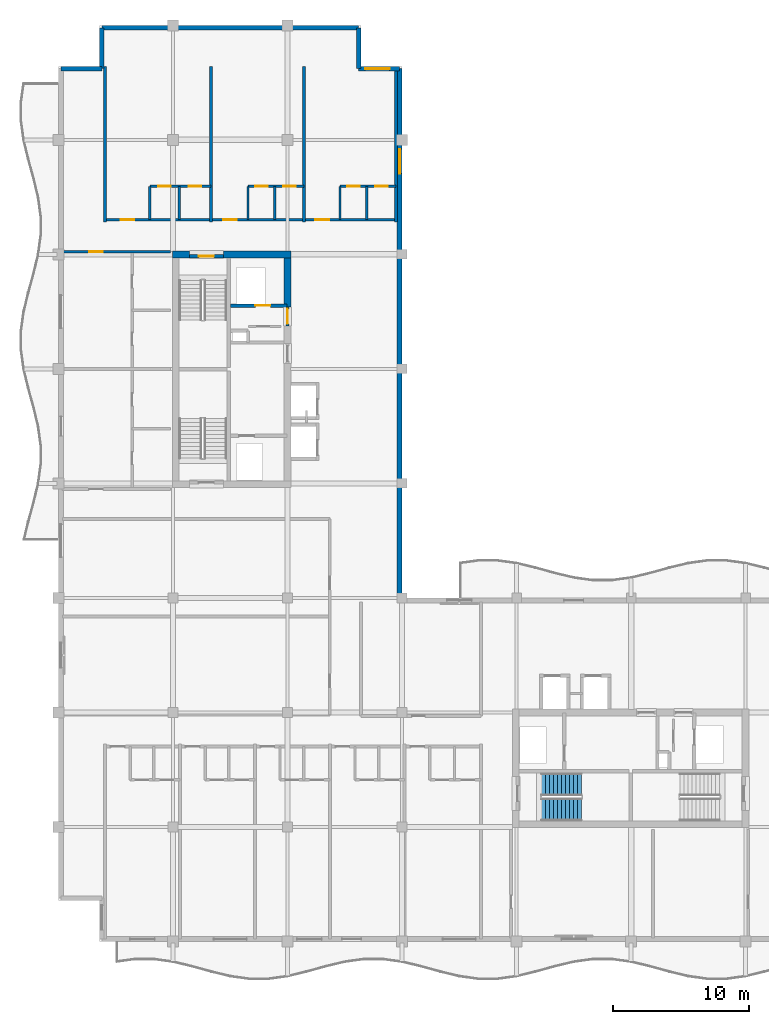
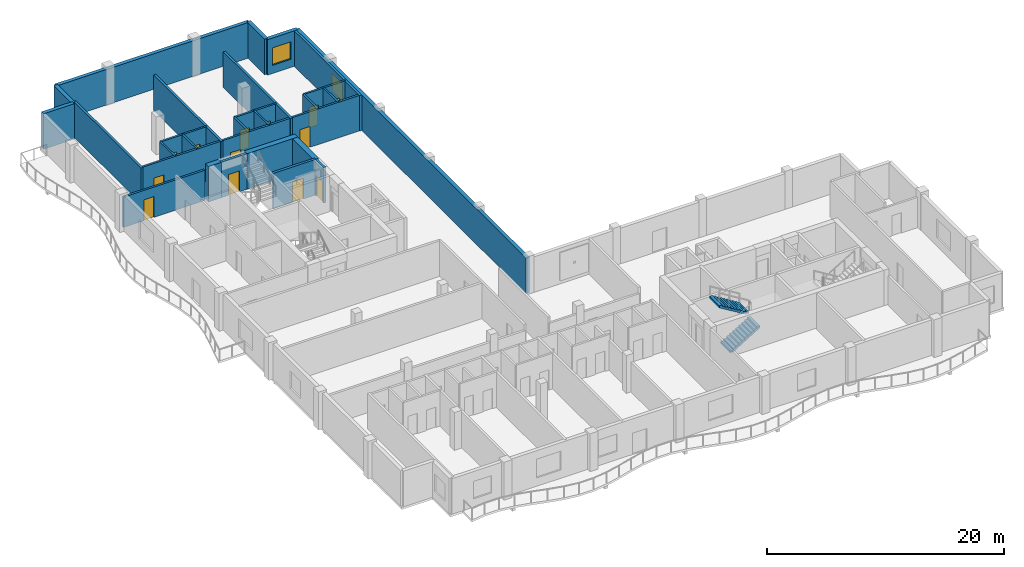
# One storey, part 7 of 12: 27 walls, 13 doors, 2 stair flights, 2 windows, 15 openings, 1 element without a shape of its own.
"""IFC4 building model written with IfcOpenShell, lengths in metres."""

from ifc_helpers import new_model, si_unit, direction, frame, frame_2d, origin, place, context, subcontext, project, spatial, polyline, rectangle, outline, extrude, material, layer, layer_set, type_object, element, fill, aggregate, save


model = new_model("IFC4")

# Units and contexts
model_context = context("Model", 3, precision=1e-05, world=origin(), true_north=direction((0.0, 1.0)))
body_context = subcontext(model_context, "Body", "Model", "MODEL_VIEW")
ifc_project = project(units=[si_unit("LENGTHUNIT", "METRE"), si_unit("AREAUNIT", "SQUARE_METRE"), si_unit("VOLUMEUNIT", "CUBIC_METRE"), si_unit("PLANEANGLEUNIT", "RADIAN"), si_unit("MASSUNIT", "GRAM", prefix="KILO")], contexts=[model_context])

# Site, building, storey
site_placement = place(None, origin())
site = spatial("IfcSite", under=ifc_project, at=site_placement, CompositionType="ELEMENT")
building_placement = place(site_placement, origin())
building = spatial("IfcBuilding", under=site, at=building_placement, Name="Koriwani Terraces Tower", CompositionType="ELEMENT")
storey_placement = place(building_placement, frame((0.0, 0.0, 351.5)))
storey = spatial("IfcBuildingStorey", under=building, at=storey_placement, Name="L87", CompositionType="ELEMENT", Elevation=351.5)

# Walls
ifc_material_1 = material(Name="Concrete C50/60", Category="concrete")
ifc_layer_1 = layer(ifc_material_1, 0.5, Name="Concrete C50/60")
ifc_layer_set_1 = layer_set([ifc_layer_1], Name="Concrete C50/60")
wall_type_1 = type_object("IfcWallType", Name="WALL_CORE_RC_500", PredefinedType="SHEAR", material=ifc_layer_set_1)
wall_1_placement = place(storey_placement, frame((16.75, 58.800048828125, 0.0), z_axis=(0.0, 0.0, 1.0), x_axis=(1.0, 0.0, 0.0)))
element("IfcWall", 1, at=wall_1_placement, inside=storey, type_object=wall_type_1, Name="L87 West Split Core Shear Wall N1", PredefinedType="SHEAR", context=body_context, shape_type="SweptSolid", body=[
    extrude(rectangle(XDim=1.25, YDim=0.5, at=frame_2d((0.625, 0.0))), origin(), (0.0, 0.0, 1.0), 3.669921875),
])
wall_2_placement = place(storey_placement, frame((20.5, 58.800048828125, 0.0), z_axis=(0.0, 0.0, 1.0), x_axis=(1.0, 0.0, 0.0)))
element("IfcWall", 2, at=wall_2_placement, inside=storey, type_object=wall_type_1, Name="L87 West Split Core Shear Wall N2", PredefinedType="SHEAR", context=body_context, shape_type="SweptSolid", body=[
    extrude(rectangle(XDim=4.949951171875, YDim=0.5, at=frame_2d((2.47509765625, 0.0))), origin(), (0.0, 0.0, 1.0), 3.669921875),
])
wall_3_placement = place(storey_placement, frame((25.199951171875, 54.949951171875, 0.0), z_axis=(0.0, 0.0, 1.0), x_axis=(0.0, 1.0, 0.0)))
element("IfcWall", 3, at=wall_3_placement, inside=storey, type_object=wall_type_1, Name="L87 West Split Core Shear Wall E3", PredefinedType="SHEAR", context=body_context, shape_type="SweptSolid", body=[
    extrude(rectangle(XDim=3.60009765625, YDim=0.5, at=frame_2d((1.800048828125, 0.0))), origin(), (0.0, 0.0, 1.0), 3.669921875),
])

# Wall, opening, door
ifc_material_2 = material(Name="Autoclaved Cellular Concrete Blockwork", Category="masonry")
ifc_layer_2 = layer(ifc_material_2, 0.199951171875, Name="Autoclaved Cellular Concrete Blockwork")
ifc_layer_set_2 = layer_set([ifc_layer_2], Name="Autoclaved Cellular Concrete Blockwork")
wall_type_2 = type_object("IfcWallType", Name="WALL_CORRIDOR_200", PredefinedType="PARTITIONING", material=ifc_layer_set_2)
wall_4_placement = place(storey_placement, frame((8.64990234375, 59.0, 0.0), z_axis=(0.0, 0.0, 1.0), x_axis=(1.0, 0.0, 0.0)))
wall_4 = element("IfcWall", 4, at=wall_4_placement, inside=storey, type_object=wall_type_2, Name="L87 Interior Wall WRZ4-WN-L87", PredefinedType="PARTITIONING", context=body_context, shape_type="SweptSolid", body=[
    extrude(rectangle(XDim=7.9501953125, YDim=0.199951171875, at=frame_2d((3.97509765625, 0.0))), origin(), (0.0, 0.0, 1.0), 3.126953125),
])
opening_1_placement = place(wall_4_placement, frame((2.0, 0.0, 0.0)))
opening_1 = element("IfcOpeningElement", 5, at=opening_1_placement, cuts=wall_4, Name="Opening D-05", PredefinedType="OPENING", context=body_context, shape_type="SweptSolid", body=[
    extrude(rectangle(XDim=1.0, YDim=2.14990234375, at=frame_2d((0.5, 1.074951171875))), frame((0.0, 0.10986328125, 0.0), z_axis=(0.0, -1.0, 0.0), x_axis=(1.0, 0.0, 0.0)), (0.0, 0.0, 1.0), 0.219970703125),
])
ifc_material_3 = material(Name="Architectural Oak Fire Door", Category="wood")
door_type_1 = type_object("IfcDoorType", Name="DOOR_SUITE_ENTRY_1000X2150", OperationType="NOTDEFINED", PredefinedType="DOOR", material=ifc_material_3)
door_1_placement = place(opening_1_placement, origin())
door_1 = element("IfcDoor", 6, at=door_1_placement, inside=storey, type_object=door_type_1, Name="Apartment 87RW2 Entrance Door", OperationType="SINGLE_SWING_LEFT", OverallHeight=2.14990234375, OverallWidth=1.0, PredefinedType="DOOR", context=body_context, shape_type="SweptSolid", body=[
    extrude(rectangle(XDim=1.0, YDim=2.14990234375, at=frame_2d((0.5, 1.074951171875))), frame((0.0, 0.02490234375, 0.0), z_axis=(0.0, -1.0, 0.0), x_axis=(1.0, 0.0, 0.0)), (0.0, 0.0, 1.0), 0.050048828125),
])
fill(opening_1, door_1)

# Wall, openings, doors
wall_5_placement = place(storey_placement, frame((11.800048828125, 61.35009765625, 0.0), z_axis=(0.0, 0.0, 1.0), x_axis=(1.0, 0.0, 0.0)))
wall_5 = element("IfcWall", 7, at=wall_5_placement, inside=storey, type_object=wall_type_2, Name="L87 Interior Wall WRCOR-L87-NTS-0", PredefinedType="PARTITIONING", context=body_context, shape_type="SweptSolid", body=[
    extrude(rectangle(XDim=21.349853515625, YDim=0.199951171875, at=frame_2d((10.6748046875, 0.0))), origin(), (0.0, 0.0, 1.0), 3.669921875),
])
opening_2_placement = place(wall_5_placement, frame((1.169921875, 0.0, 0.0)))
opening_2 = element("IfcOpeningElement", 8, at=opening_2_placement, cuts=wall_5, Name="Opening D-05", PredefinedType="OPENING", context=body_context, shape_type="SweptSolid", body=[
    extrude(rectangle(XDim=1.0, YDim=2.14990234375, at=frame_2d((0.5, 1.074951171875))), frame((0.0, 0.10986328125, 0.0), z_axis=(0.0, -1.0, 0.0), x_axis=(1.0, 0.0, 0.0)), (0.0, 0.0, 1.0), 0.219970703125),
])
opening_3_placement = place(wall_5_placement, frame((8.669921875, 0.0, 0.0)))
opening_3 = element("IfcOpeningElement", 9, at=opening_3_placement, cuts=wall_5, Name="Opening D-05", PredefinedType="OPENING", context=body_context, shape_type="SweptSolid", body=[
    extrude(rectangle(XDim=1.0, YDim=2.14990234375, at=frame_2d((0.5, 1.074951171875))), frame((0.0, 0.10986328125, 0.0), z_axis=(0.0, -1.0, 0.0), x_axis=(1.0, 0.0, 0.0)), (0.0, 0.0, 1.0), 0.219970703125),
])
opening_4_placement = place(wall_5_placement, frame((15.445068359375, 0.0, 0.0)))
opening_4 = element("IfcOpeningElement", 10, at=opening_4_placement, cuts=wall_5, Name="Opening D-05", PredefinedType="OPENING", context=body_context, shape_type="SweptSolid", body=[
    extrude(rectangle(XDim=1.0, YDim=2.14990234375, at=frame_2d((0.5, 1.074951171875))), frame((0.0, 0.10986328125, 0.0), z_axis=(0.0, -1.0, 0.0), x_axis=(1.0, 0.0, 0.0)), (0.0, 0.0, 1.0), 0.219970703125),
])
door_2_placement = place(opening_2_placement, origin())
door_2 = element("IfcDoor", 11, at=door_2_placement, inside=storey, type_object=door_type_1, Name="Apartment 87NTS1 Entrance Door", OperationType="SINGLE_SWING_LEFT", OverallHeight=2.14990234375, OverallWidth=1.0, PredefinedType="DOOR", context=body_context, shape_type="SweptSolid", body=[
    extrude(rectangle(XDim=1.0, YDim=2.14990234375, at=frame_2d((0.5, 1.074951171875))), frame((0.0, 0.02490234375, 0.0), z_axis=(0.0, -1.0, 0.0), x_axis=(1.0, 0.0, 0.0)), (0.0, 0.0, 1.0), 0.050048828125),
])
fill(opening_2, door_2)
door_3_placement = place(opening_3_placement, origin())
door_3 = element("IfcDoor", 12, at=door_3_placement, inside=storey, type_object=door_type_1, Name="Apartment 87NTS2 Entrance Door", OperationType="SINGLE_SWING_RIGHT", OverallHeight=2.14990234375, OverallWidth=1.0, PredefinedType="DOOR", context=body_context, shape_type="SweptSolid", body=[
    extrude(rectangle(XDim=1.0, YDim=2.14990234375, at=frame_2d((0.5, 1.074951171875))), frame((0.0, 0.02490234375, 0.0), z_axis=(0.0, -1.0, 0.0), x_axis=(1.0, 0.0, 0.0)), (0.0, 0.0, 1.0), 0.050048828125),
])
fill(opening_3, door_3)
door_4_placement = place(opening_4_placement, origin())
door_4 = element("IfcDoor", 13, at=door_4_placement, inside=storey, type_object=door_type_1, Name="Apartment 87NTS3 Entrance Door", OperationType="SINGLE_SWING_LEFT", OverallHeight=2.14990234375, OverallWidth=1.0, PredefinedType="DOOR", context=body_context, shape_type="SweptSolid", body=[
    extrude(rectangle(XDim=1.0, YDim=2.14990234375, at=frame_2d((0.5, 1.074951171875))), frame((0.0, 0.02490234375, 0.0), z_axis=(0.0, -1.0, 0.0), x_axis=(1.0, 0.0, 0.0)), (0.0, 0.0, 1.0), 0.050048828125),
])
fill(opening_4, door_4)

# Walls
ifc_layer_3 = layer(ifc_material_2, 0.219970703125, Name="Autoclaved Cellular Concrete Blockwork")
ifc_layer_set_3 = layer_set([ifc_layer_3], Name="Autoclaved Cellular Concrete Blockwork")
wall_type_3 = type_object("IfcWallType", Name="WALL_DEMISING_220", PredefinedType="PARTITIONING", material=ifc_layer_set_3)
for number, where, z_axis, x_axis, name in (
    (14, (11.800048828125, 61.199951171875, 0.0), (0.0, 0.0, 1.0), (0.0, 1.0, 0.0), "L87 Interior Wall WRDEM-L87-NTS-0"),
    (15, (19.60009765625, 61.199951171875, 0.0), (0.0, 0.0, 1.0), (0.0, 1.0, 0.0), "L87 Interior Wall WRDEM-L87-NTS-1"),
    (16, (26.39990234375, 61.199951171875, 0.0), (0.0, 0.0, 1.0), (0.0, 1.0, 0.0), "L87 Interior Wall WRDEM-L87-NTS-2"),
    (17, (33.14990234375, 61.199951171875, 0.0), (0.0, 0.0, 1.0), (0.0, 1.0, 0.0), "L87 Interior Wall WRDEME-L87-NTS"),
):
    element("IfcWall", number, at=place(storey_placement, frame(where, z_axis=z_axis, x_axis=x_axis)), inside=storey, type_object=wall_type_3, Name=name, PredefinedType="PARTITIONING", context=body_context, shape_type="SweptSolid", body=[
        extrude(rectangle(XDim=11.380126953125, YDim=0.219970703125, at=frame_2d((5.68994140625, 0.0))), origin(), (0.0, 0.0, 1.0), 3.669921875),
    ])
ifc_layer_4 = layer(ifc_material_1, 0.35009765625, Name="Concrete C50/60")
ifc_layer_set_4 = layer_set([ifc_layer_4], Name="Concrete C50/60")
wall_type_4 = type_object("IfcWallType", Name="WALL_EXT_BRUTALIST_350", PredefinedType="STANDARD", material=ifc_layer_set_4)
for number, where, z_axis, x_axis, name in (
    (18, (8.574951171875, 72.425048828125, 0.0), (0.0, 0.0, 1.0), (1.0, 0.0, 0.0), "L87 Fair-Faced Brutalist Exterior Wall (N3)"),
    (19, (11.574951171875, 72.425048828125, 0.0), (0.0, 0.0, 1.0), (0.0, 1.0, 0.0), "L87 Fair-Faced Brutalist Exterior Wall (N4)"),
):
    element("IfcWall", number, at=place(storey_placement, frame(where, z_axis=z_axis, x_axis=x_axis)), inside=storey, type_object=wall_type_4, Name=name, PredefinedType="STANDARD", context=body_context, shape_type="SweptSolid", body=[
        extrude(rectangle(XDim=3.0, YDim=0.35009765625, at=frame_2d((1.5, 0.0))), origin(), (0.0, 0.0, 1.0), 3.669921875),
    ])
wall_6_placement = place(storey_placement, frame((11.574951171875, 75.425048828125, 0.0), z_axis=(0.0, 0.0, 1.0), x_axis=(1.0, 0.0, 0.0)))
element("IfcWall", 20, at=wall_6_placement, inside=storey, type_object=wall_type_4, Name="L87 Fair-Faced Brutalist Exterior Wall (N_TIP)", PredefinedType="STANDARD", context=body_context, shape_type="SweptSolid", body=[
    extrude(rectangle(XDim=18.85009765625, YDim=0.35009765625, at=frame_2d((9.425048828125, 0.0))), origin(), (0.0, 0.0, 1.0), 3.669921875),
])
wall_7_placement = place(storey_placement, frame((30.425048828125, 75.425048828125, 0.0), z_axis=(0.0, 0.0, 1.0), x_axis=(0.0, -1.0, 0.0)))
element("IfcWall", 21, at=wall_7_placement, inside=storey, type_object=wall_type_4, Name="L87 Fair-Faced Brutalist Exterior Wall (N6)", PredefinedType="STANDARD", context=body_context, shape_type="SweptSolid", body=[
    extrude(rectangle(XDim=3.0, YDim=0.35009765625, at=frame_2d((1.5, 0.0))), origin(), (0.0, 0.0, 1.0), 3.669921875),
])

# Wall, opening, window
wall_8_placement = place(storey_placement, frame((30.425048828125, 72.425048828125, 0.0), z_axis=(0.0, 0.0, 1.0), x_axis=(1.0, 0.0, 0.0)))
wall_8 = element("IfcWall", 22, at=wall_8_placement, inside=storey, type_object=wall_type_4, Name="L87 Fair-Faced Brutalist Exterior Wall (N7)", PredefinedType="STANDARD", context=body_context, shape_type="SweptSolid", body=[
    extrude(rectangle(XDim=3.0, YDim=0.35009765625, at=frame_2d((1.5, 0.0))), origin(), (0.0, 0.0, 1.0), 3.669921875),
])
opening_5_placement = place(wall_8_placement, frame((0.472412109375, 0.0, 0.85009765625)))
opening_5 = element("IfcOpeningElement", 23, at=opening_5_placement, cuts=wall_8, Name="Opening W-04", PredefinedType="OPENING", context=body_context, shape_type="SweptSolid", body=[
    extrude(rectangle(XDim=1.800048828125, YDim=1.800048828125, at=frame_2d((0.89990234375, 0.89990234375))), frame((0.0, 0.18505859375, 0.0), z_axis=(0.0, -1.0, 0.0), x_axis=(1.0, 0.0, 0.0)), (0.0, 0.0, 1.0), 0.3701171875),
])
ifc_material_4 = material(Name="Tempered Laminated Low-E Glass", Category="glass")
window_type = type_object("IfcWindowType", Name="WIN_RES_BED_1800X1800", PartitioningType="DOUBLE_PANEL_VERTICAL", PredefinedType="WINDOW", material=ifc_material_4)
window_1_placement = place(opening_5_placement, origin())
window_1 = element("IfcWindow", 24, at=window_1_placement, inside=storey, type_object=window_type, Name="L87 Exterior Window (N7-R55)", OverallHeight=1.800048828125, OverallWidth=1.800048828125, PartitioningType="SINGLE_PANEL", PredefinedType="WINDOW", context=body_context, shape_type="SweptSolid", body=[
    extrude(rectangle(XDim=1.800048828125, YDim=1.800048828125, at=frame_2d((0.89990234375, 0.89990234375))), frame((0.0, 0.030029296875, 0.0), z_axis=(0.0, -1.0, 0.0), x_axis=(1.0, 0.0, 0.0)), (0.0, 0.0, 1.0), 0.06005859375),
])
fill(opening_5, window_1)

wall_9_placement = place(storey_placement, frame((33.425048828125, 72.425048828125, 0.0), z_axis=(0.0, 0.0, 1.0), x_axis=(0.0, -1.0, 0.0)))
wall_9 = element("IfcWall", 25, at=wall_9_placement, inside=storey, type_object=wall_type_4, Name="L87 Fair-Faced Brutalist Exterior Wall (NW_IN)", PredefinedType="STANDARD", context=body_context, shape_type="SweptSolid", body=[
    extrude(rectangle(XDim=39.0, YDim=0.35009765625, at=frame_2d((19.5, 0.0))), origin(), (0.0, 0.0, 1.0), 3.669921875),
])
opening_6_placement = place(wall_9_placement, frame((5.89990234375, 0.0, 0.85009765625)))
opening_6 = element("IfcOpeningElement", 26, at=opening_6_placement, cuts=wall_9, Name="Opening W-04", PredefinedType="OPENING", context=body_context, shape_type="SweptSolid", body=[
    extrude(rectangle(XDim=1.800048828125, YDim=1.800048828125, at=frame_2d((0.89990234375, 0.89990234375))), frame((0.0, 0.18505859375, 0.0), z_axis=(0.0, -1.0, 0.0), x_axis=(1.0, 0.0, 0.0)), (0.0, 0.0, 1.0), 0.3701171875),
])
window_2_placement = place(opening_6_placement, origin())
window_2 = element("IfcWindow", 27, at=window_2_placement, inside=storey, type_object=window_type, Name="L87 Exterior Window (NW_IN-R55)", OverallHeight=1.800048828125, OverallWidth=1.800048828125, PartitioningType="SINGLE_PANEL", PredefinedType="WINDOW", context=body_context, shape_type="SweptSolid", body=[
    extrude(rectangle(XDim=1.800048828125, YDim=1.800048828125, at=frame_2d((0.89990234375, 0.89990234375))), frame((0.0, 0.030029296875, 0.0), z_axis=(0.0, -1.0, 0.0), x_axis=(1.0, 0.0, 0.0)), (0.0, 0.0, 1.0), 0.06005859375),
])
fill(opening_6, window_2)

# Wall, openings, doors
ifc_material_5 = material(Name="Fire-Rated Acoustic Gypsum Partition", Category="masonry")
ifc_layer_5 = layer(ifc_material_5, 0.179931640625, Name="Fire-Rated Acoustic Gypsum Partition")
ifc_layer_set_5 = layer_set([ifc_layer_5], Name="Fire-Rated Acoustic Gypsum Partition")
wall_type_5 = type_object("IfcWallType", Name="WALL_PLUMBING_180", PredefinedType="PLUMBINGWALL", material=ifc_layer_set_5)
wall_10_placement = place(storey_placement, frame((15.10009765625, 63.800048828125, 0.0), z_axis=(0.0, 0.0, 1.0), x_axis=(1.0, 0.0, 0.0)))
wall_10 = element("IfcWall", 28, at=wall_10_placement, inside=storey, type_object=wall_type_5, Name="L87 Interior Wall WRSVC-L87-NTS-0", PredefinedType="PLUMBINGWALL", context=body_context, shape_type="SweptSolid", body=[
    extrude(rectangle(XDim=4.5, YDim=0.179931640625, at=frame_2d((2.25, 0.0))), origin(), (0.0, 0.0, 1.0), 3.669921875),
])
opening_7_placement = place(wall_10_placement, frame((0.6298828125, 0.0, 0.0)))
opening_7 = element("IfcOpeningElement", 29, at=opening_7_placement, cuts=wall_10, Name="Opening D-07", PredefinedType="OPENING", context=body_context, shape_type="SweptSolid", body=[
    extrude(rectangle(XDim=0.89990234375, YDim=2.10009765625, at=frame_2d((0.449951171875, 1.050048828125))), frame((0.0, 0.10009765625, 0.0), z_axis=(0.0, -1.0, 0.0), x_axis=(1.0, 0.0, 0.0)), (0.0, 0.0, 1.0), 0.199951171875),
])
opening_8_placement = place(wall_10_placement, frame((2.8701171875, 0.0, 0.0)))
opening_8 = element("IfcOpeningElement", 30, at=opening_8_placement, cuts=wall_10, Name="Opening D-06", PredefinedType="OPENING", context=body_context, shape_type="SweptSolid", body=[
    extrude(rectangle(XDim=0.919921875, YDim=2.10009765625, at=frame_2d((0.4599609375, 1.050048828125))), frame((0.0, 0.10009765625, 0.0), z_axis=(0.0, -1.0, 0.0), x_axis=(1.0, 0.0, 0.0)), (0.0, 0.0, 1.0), 0.199951171875),
])
door_type_2 = type_object("IfcDoorType", Name="DOOR_BATH_INT_900X2100", OperationType="NOTDEFINED", PredefinedType="DOOR", material=ifc_material_3)
door_5_placement = place(opening_7_placement, origin())
door_5 = element("IfcDoor", 31, at=door_5_placement, inside=storey, type_object=door_type_2, Name="Apartment 87NTS1 Bathroom Door", OperationType="SINGLE_SWING_RIGHT", OverallHeight=2.10009765625, OverallWidth=0.89990234375, PredefinedType="DOOR", context=body_context, shape_type="SweptSolid", body=[
    extrude(rectangle(XDim=0.89990234375, YDim=2.10009765625, at=frame_2d((0.449951171875, 1.050048828125))), frame((0.0, 0.02490234375, 0.0), z_axis=(0.0, -1.0, 0.0), x_axis=(1.0, 0.0, 0.0)), (0.0, 0.0, 1.0), 0.050048828125),
])
fill(opening_7, door_5)
door_type_3 = type_object("IfcDoorType", Name="DOOR_ROOM_INT_920X2100", OperationType="NOTDEFINED", PredefinedType="DOOR", material=ifc_material_3)
door_6_placement = place(opening_8_placement, origin())
door_6 = element("IfcDoor", 32, at=door_6_placement, inside=storey, type_object=door_type_3, Name="Apartment 87NTS1 Kitchen Door", OperationType="SINGLE_SWING_LEFT", OverallHeight=2.10009765625, OverallWidth=0.919921875, PredefinedType="DOOR", context=body_context, shape_type="SweptSolid", body=[
    extrude(rectangle(XDim=0.919921875, YDim=2.10009765625, at=frame_2d((0.4599609375, 1.050048828125))), frame((0.0, 0.02490234375, 0.0), z_axis=(0.0, -1.0, 0.0), x_axis=(1.0, 0.0, 0.0)), (0.0, 0.0, 1.0), 0.050048828125),
])
fill(opening_8, door_6)

# Walls
for number, where, z_axis, x_axis, name in (
    (33, (15.10009765625, 61.35009765625, 0.0), (0.0, 0.0, 1.0), (0.0, 1.0, 0.0), "L87 Interior Wall WRSVCS-L87-NTS-0"),
    (34, (17.260009765625, 61.35009765625, 0.0), (0.0, 0.0, 1.0), (0.0, 1.0, 0.0), "L87 Interior Wall WRSVCM-L87-NTS-0"),
):
    element("IfcWall", number, at=place(storey_placement, frame(where, z_axis=z_axis, x_axis=x_axis)), inside=storey, type_object=wall_type_5, Name=name, PredefinedType="PLUMBINGWALL", context=body_context, shape_type="SweptSolid", body=[
        extrude(rectangle(XDim=2.449951171875, YDim=0.179931640625, at=frame_2d((1.22509765625, 0.0))), origin(), (0.0, 0.0, 1.0), 3.669921875),
    ])

# Wall, openings, doors
wall_11_placement = place(storey_placement, frame((22.300048828125, 63.800048828125, 0.0), z_axis=(0.0, 0.0, 1.0), x_axis=(1.0, 0.0, 0.0)))
wall_11 = element("IfcWall", 35, at=wall_11_placement, inside=storey, type_object=wall_type_5, Name="L87 Interior Wall WRSVC-L87-NTS-1", PredefinedType="PLUMBINGWALL", context=body_context, shape_type="SweptSolid", body=[
    extrude(rectangle(XDim=4.099853515625, YDim=0.179931640625, at=frame_2d((2.0498046875, 0.0))), origin(), (0.0, 0.0, 1.0), 3.669921875),
])
opening_9_placement = place(wall_11_placement, frame((0.533935546875, 0.0, 0.0)))
opening_9 = element("IfcOpeningElement", 36, at=opening_9_placement, cuts=wall_11, Name="Opening D-07", PredefinedType="OPENING", context=body_context, shape_type="SweptSolid", body=[
    extrude(rectangle(XDim=0.89990234375, YDim=2.10009765625, at=frame_2d((0.449951171875, 1.050048828125))), frame((0.0, 0.10009765625, 0.0), z_axis=(0.0, -1.0, 0.0), x_axis=(1.0, 0.0, 0.0)), (0.0, 0.0, 1.0), 0.199951171875),
])
opening_10_placement = place(wall_11_placement, frame((2.573974609375, 0.0, 0.0)))
opening_10 = element("IfcOpeningElement", 37, at=opening_10_placement, cuts=wall_11, Name="Opening D-06", PredefinedType="OPENING", context=body_context, shape_type="SweptSolid", body=[
    extrude(rectangle(XDim=0.919921875, YDim=2.10009765625, at=frame_2d((0.4599609375, 1.050048828125))), frame((0.0, 0.10009765625, 0.0), z_axis=(0.0, -1.0, 0.0), x_axis=(1.0, 0.0, 0.0)), (0.0, 0.0, 1.0), 0.199951171875),
])
door_7_placement = place(opening_9_placement, origin())
door_7 = element("IfcDoor", 38, at=door_7_placement, inside=storey, type_object=door_type_2, Name="Apartment 87NTS2 Bathroom Door", OperationType="SINGLE_SWING_LEFT", OverallHeight=2.10009765625, OverallWidth=0.89990234375, PredefinedType="DOOR", context=body_context, shape_type="SweptSolid", body=[
    extrude(rectangle(XDim=0.89990234375, YDim=2.10009765625, at=frame_2d((0.449951171875, 1.050048828125))), frame((0.0, 0.02490234375, 0.0), z_axis=(0.0, -1.0, 0.0), x_axis=(1.0, 0.0, 0.0)), (0.0, 0.0, 1.0), 0.050048828125),
])
fill(opening_9, door_7)
door_8_placement = place(opening_10_placement, origin())
door_8 = element("IfcDoor", 39, at=door_8_placement, inside=storey, type_object=door_type_3, Name="Apartment 87NTS2 Kitchen Door", OperationType="SINGLE_SWING_RIGHT", OverallHeight=2.10009765625, OverallWidth=0.919921875, PredefinedType="DOOR", context=body_context, shape_type="SweptSolid", body=[
    extrude(rectangle(XDim=0.919921875, YDim=2.10009765625, at=frame_2d((0.4599609375, 1.050048828125))), frame((0.0, 0.02490234375, 0.0), z_axis=(0.0, -1.0, 0.0), x_axis=(1.0, 0.0, 0.0)), (0.0, 0.0, 1.0), 0.050048828125),
])
fill(opening_10, door_8)

# Walls
for number, where, z_axis, x_axis, name in (
    (40, (22.300048828125, 61.35009765625, 0.0), (0.0, 0.0, 1.0), (0.0, 1.0, 0.0), "L87 Interior Wall WRSVCS-L87-NTS-1"),
    (41, (24.26806640625, 61.35009765625, 0.0), (0.0, 0.0, 1.0), (0.0, 1.0, 0.0), "L87 Interior Wall WRSVCM-L87-NTS-1"),
):
    element("IfcWall", number, at=place(storey_placement, frame(where, z_axis=z_axis, x_axis=x_axis)), inside=storey, type_object=wall_type_5, Name=name, PredefinedType="PLUMBINGWALL", context=body_context, shape_type="SweptSolid", body=[
        extrude(rectangle(XDim=2.449951171875, YDim=0.179931640625, at=frame_2d((1.22509765625, 0.0))), origin(), (0.0, 0.0, 1.0), 3.669921875),
    ])

# Wall, openings, doors
wall_12_placement = place(storey_placement, frame((29.050048828125, 63.800048828125, 0.0), z_axis=(0.0, 0.0, 1.0), x_axis=(1.0, 0.0, 0.0)))
wall_12 = element("IfcWall", 42, at=wall_12_placement, inside=storey, type_object=wall_type_5, Name="L87 Interior Wall WRSVC-L87-NTS-2", PredefinedType="PLUMBINGWALL", context=body_context, shape_type="SweptSolid", body=[
    extrude(rectangle(XDim=4.099853515625, YDim=0.179931640625, at=frame_2d((2.0498046875, 0.0))), origin(), (0.0, 0.0, 1.0), 3.669921875),
])
opening_11_placement = place(wall_12_placement, frame((0.533935546875, 0.0, 0.0)))
opening_11 = element("IfcOpeningElement", 43, at=opening_11_placement, cuts=wall_12, Name="Opening D-07", PredefinedType="OPENING", context=body_context, shape_type="SweptSolid", body=[
    extrude(rectangle(XDim=0.89990234375, YDim=2.10009765625, at=frame_2d((0.449951171875, 1.050048828125))), frame((0.0, 0.10009765625, 0.0), z_axis=(0.0, -1.0, 0.0), x_axis=(1.0, 0.0, 0.0)), (0.0, 0.0, 1.0), 0.199951171875),
])
opening_12_placement = place(wall_12_placement, frame((2.573974609375, 0.0, 0.0)))
opening_12 = element("IfcOpeningElement", 44, at=opening_12_placement, cuts=wall_12, Name="Opening D-06", PredefinedType="OPENING", context=body_context, shape_type="SweptSolid", body=[
    extrude(rectangle(XDim=0.919921875, YDim=2.10009765625, at=frame_2d((0.4599609375, 1.050048828125))), frame((0.0, 0.10009765625, 0.0), z_axis=(0.0, -1.0, 0.0), x_axis=(1.0, 0.0, 0.0)), (0.0, 0.0, 1.0), 0.199951171875),
])
door_9_placement = place(opening_11_placement, origin())
door_9 = element("IfcDoor", 45, at=door_9_placement, inside=storey, type_object=door_type_2, Name="Apartment 87NTS3 Bathroom Door", OperationType="SINGLE_SWING_RIGHT", OverallHeight=2.10009765625, OverallWidth=0.89990234375, PredefinedType="DOOR", context=body_context, shape_type="SweptSolid", body=[
    extrude(rectangle(XDim=0.89990234375, YDim=2.10009765625, at=frame_2d((0.449951171875, 1.050048828125))), frame((0.0, 0.02490234375, 0.0), z_axis=(0.0, -1.0, 0.0), x_axis=(1.0, 0.0, 0.0)), (0.0, 0.0, 1.0), 0.050048828125),
])
fill(opening_11, door_9)
door_10_placement = place(opening_12_placement, origin())
door_10 = element("IfcDoor", 46, at=door_10_placement, inside=storey, type_object=door_type_3, Name="Apartment 87NTS3 Kitchen Door", OperationType="SINGLE_SWING_LEFT", OverallHeight=2.10009765625, OverallWidth=0.919921875, PredefinedType="DOOR", context=body_context, shape_type="SweptSolid", body=[
    extrude(rectangle(XDim=0.919921875, YDim=2.10009765625, at=frame_2d((0.4599609375, 1.050048828125))), frame((0.0, 0.02490234375, 0.0), z_axis=(0.0, -1.0, 0.0), x_axis=(1.0, 0.0, 0.0)), (0.0, 0.0, 1.0), 0.050048828125),
])
fill(opening_12, door_10)

# Walls
for number, where, z_axis, x_axis, name in (
    (47, (29.050048828125, 61.35009765625, 0.0), (0.0, 0.0, 1.0), (0.0, 1.0, 0.0), "L87 Interior Wall WRSVCS-L87-NTS-2"),
    (48, (31.01806640625, 61.35009765625, 0.0), (0.0, 0.0, 1.0), (0.0, 1.0, 0.0), "L87 Interior Wall WRSVCM-L87-NTS-2"),
):
    element("IfcWall", number, at=place(storey_placement, frame(where, z_axis=z_axis, x_axis=x_axis)), inside=storey, type_object=wall_type_5, Name=name, PredefinedType="PLUMBINGWALL", context=body_context, shape_type="SweptSolid", body=[
        extrude(rectangle(XDim=2.449951171875, YDim=0.179931640625, at=frame_2d((1.22509765625, 0.0))), origin(), (0.0, 0.0, 1.0), 3.669921875),
    ])

# Wall, opening, door
ifc_material_6 = material(Name="Concrete C40/50", Category="concrete")
ifc_layer_6 = layer(ifc_material_6, 0.25, Name="Concrete C40/50")
ifc_layer_set_6 = layer_set([ifc_layer_6], Name="Concrete C40/50")
wall_type_6 = type_object("IfcWallType", Name="WALL_SHAFT_RATED_250", PredefinedType="SOLIDWALL", material=ifc_layer_set_6)
wall_13_placement = place(storey_placement, frame((18.0, 58.675048828125, 0.0), z_axis=(0.0, 0.0, 1.0), x_axis=(1.0, 0.0, 0.0)))
wall_13 = element("IfcWall", 49, at=wall_13_placement, inside=storey, type_object=wall_type_6, Name="L87 Interior Wall WIN-CW-L87-STN", PredefinedType="SOLIDWALL", context=body_context, shape_type="SweptSolid", body=[
    extrude(rectangle(XDim=2.5, YDim=0.25, at=frame_2d((1.25, 0.0))), origin(), (0.0, 0.0, 1.0), 3.669921875),
])
opening_13_placement = place(wall_13_placement, frame((0.699951171875, 0.0, 0.0)))
opening_13 = element("IfcOpeningElement", 50, at=opening_13_placement, cuts=wall_13, Name="Opening D-03", PredefinedType="OPENING", context=body_context, shape_type="SweptSolid", body=[
    extrude(rectangle(XDim=1.10009765625, YDim=2.14990234375, at=frame_2d((0.550048828125, 1.074951171875))), frame((0.0, 0.135009765625, 0.0), z_axis=(0.0, -1.0, 0.0), x_axis=(1.0, 0.0, 0.0)), (0.0, 0.0, 1.0), 0.27001953125),
])
ifc_material_7 = material(Name="Steel ASTM A572 Grade 50", Category="steel")
door_type_4 = type_object("IfcDoorType", Name="DOOR_STAIR_FIRE_1100X2150", OperationType="NOTDEFINED", PredefinedType="DOOR", material=ifc_material_7)
door_11_placement = place(opening_13_placement, origin())
door_11 = element("IfcDoor", 51, at=door_11_placement, inside=storey, type_object=door_type_4, Name="L87 Exit Stair ST-W2 Door", OperationType="SINGLE_SWING_RIGHT", OverallHeight=2.14990234375, OverallWidth=1.10009765625, PredefinedType="DOOR", context=body_context, shape_type="SweptSolid", body=[
    extrude(rectangle(XDim=1.10009765625, YDim=2.14990234375, at=frame_2d((0.550048828125, 1.074951171875))), frame((0.0, 0.02490234375, 0.0), z_axis=(0.0, -1.0, 0.0), x_axis=(1.0, 0.0, 0.0)), (0.0, 0.0, 1.0), 0.050048828125),
])
fill(opening_13, door_11)

wall_14_placement = place(storey_placement, frame((21.0, 55.050048828125, 0.0), z_axis=(0.0, 0.0, 1.0), x_axis=(1.0, 0.0, 0.0)))
wall_14 = element("IfcWall", 52, at=wall_14_placement, inside=storey, type_object=wall_type_6, Name="L87 Interior Wall WIN-CW-L87-SE", PredefinedType="SOLIDWALL", context=body_context, shape_type="SweptSolid", body=[
    extrude(rectangle(XDim=4.14990234375, YDim=0.25, at=frame_2d((2.074951171875, 0.0))), origin(), (0.0, 0.0, 1.0), 3.669921875),
])
opening_14_placement = place(wall_14_placement, frame((1.85009765625, 0.0, 0.0)))
opening_14 = element("IfcOpeningElement", 53, at=opening_14_placement, cuts=wall_14, Name="Opening LD-01", PredefinedType="OPENING", context=body_context, shape_type="SweptSolid", body=[
    extrude(rectangle(XDim=1.10009765625, YDim=2.14990234375, at=frame_2d((0.550048828125, 1.074951171875))), frame((0.0, 0.135009765625, 0.0), z_axis=(0.0, -1.0, 0.0), x_axis=(1.0, 0.0, 0.0)), (0.0, 0.0, 1.0), 0.27001953125),
])
door_type_5 = type_object("IfcDoorType", Name="DOOR_LIFT_LANDING_1100X2200", OperationType="NOTDEFINED", PredefinedType="DOOR", material=ifc_material_7)
door_12_placement = place(opening_14_placement, origin())
door_12 = element("IfcDoor", 54, at=door_12_placement, inside=storey, type_object=door_type_5, Name="L87 Goods Lift SE-01 Landing Door", OperationType="SLIDING_TO_LEFT", OverallHeight=2.14990234375, OverallWidth=1.10009765625, PredefinedType="DOOR", context=body_context, shape_type="SweptSolid", body=[
    extrude(rectangle(XDim=1.10009765625, YDim=2.14990234375, at=frame_2d((0.550048828125, 1.074951171875))), frame((0.0, 0.02490234375, 0.0), z_axis=(0.0, -1.0, 0.0), x_axis=(1.0, 0.0, 0.0)), (0.0, 0.0, 1.0), 0.050048828125),
])
fill(opening_14, door_12)

wall_15_placement = place(storey_placement, frame((25.199951171875, 53.550048828125, 0.0), z_axis=(0.0, 0.0, 1.0), x_axis=(0.0, 1.0, 0.0)))
wall_15 = element("IfcWall", 55, at=wall_15_placement, inside=storey, type_object=wall_type_6, Name="L87 Interior Wall WIN-CW-L87-EP2", PredefinedType="SOLIDWALL", context=body_context, shape_type="SweptSolid", body=[
    extrude(rectangle(XDim=1.39990234375, YDim=0.25, at=frame_2d((0.699951171875, 0.0))), origin(), (0.0, 0.0, 1.0), 3.669921875),
])
opening_15_placement = place(wall_15_placement, frame((0.14990234375, 0.0, 0.0)))
opening_15 = element("IfcOpeningElement", 56, at=opening_15_placement, cuts=wall_15, Name="Opening D-03", PredefinedType="OPENING", context=body_context, shape_type="SweptSolid", body=[
    extrude(rectangle(XDim=1.10009765625, YDim=2.14990234375, at=frame_2d((0.550048828125, 1.074951171875))), frame((0.0, 0.135009765625, 0.0), z_axis=(0.0, -1.0, 0.0), x_axis=(1.0, 0.0, 0.0)), (0.0, 0.0, 1.0), 0.27001953125),
])
door_13_placement = place(opening_15_placement, origin())
door_13 = element("IfcDoor", 57, at=door_13_placement, inside=storey, type_object=door_type_4, Name="L87 West Goods Lift Lobby Door", OperationType="SINGLE_SWING_RIGHT", OverallHeight=2.14990234375, OverallWidth=1.10009765625, PredefinedType="DOOR", context=body_context, shape_type="SweptSolid", body=[
    extrude(rectangle(XDim=1.10009765625, YDim=2.14990234375, at=frame_2d((0.550048828125, 1.074951171875))), frame((0.0, 0.02490234375, 0.0), z_axis=(0.0, -1.0, 0.0), x_axis=(1.0, 0.0, 0.0)), (0.0, 0.0, 1.0), 0.050048828125),
])
fill(opening_15, door_13)

# Stair, stair flights
stair_type = type_object("IfcStairType", Name="STAIR_CORE_DOGLEG_1650", PredefinedType="TWO_STRAIGHT_RUN_STAIR", material=ifc_material_6)
stair_placement = place(storey_placement, origin())
stair = element("IfcStair", 58, at=stair_placement, inside=storey, type_object=stair_type, Name="L87 East Core Exit Stair 1", PredefinedType="HALF_TURN_STAIR")
stair_flight_type = type_object("IfcStairFlightType", Name="STAIR_FLIGHT_RC_1650", PredefinedType="STRAIGHT", material=ifc_material_6)
stair_flight_1_placement = place(storey_placement, frame((43.85009765625, 18.074951171875, 0.0), z_axis=(0.0, 0.0, 1.0), x_axis=(1.0, 0.0, 0.0)))
stair_flight_1 = element("IfcStairFlight", 59, at=stair_flight_1_placement, type_object=stair_flight_type, Name="ST-E1 flight 1", NumberOfRisers=11, NumberOfTreads=10, PredefinedType="STRAIGHT", RiserHeight=0.177272727, TreadLength=0.29, context=body_context, shape_type="SweptSolid", body=[
    extrude(outline(polyline([(0.0, 0.0), (0.0, 0.17724609375), (0.2900390625, 0.17724609375), (0.2900390625, 0.3544921875), (0.580078125, 0.3544921875), (0.580078125, 0.53173828125), (0.8701171875, 0.53173828125), (0.8701171875, 0.708984375), (1.159912109375, 0.708984375), (1.159912109375, 0.886474609375), (1.449951171875, 0.886474609375), (1.449951171875, 1.063720703125), (1.739990234375, 1.063720703125), (1.739990234375, 1.240966796875), (2.030029296875, 1.240966796875), (2.030029296875, 1.418212890625), (2.320068359375, 1.418212890625), (2.320068359375, 1.595458984375), (2.610107421875, 1.595458984375), (2.610107421875, 1.772705078125), (2.89990234375, 1.772705078125), (2.89990234375, 1.949951171875), (2.89990234375, 1.561767578125), (0.344970703125, 0.0), (0.0, 0.0)])), frame((0.0, 0.824951171875, 0.0), z_axis=(0.0, -1.0, 0.0), x_axis=(1.0, 0.0, 0.0)), (0.0, 0.0, 1.0), 1.64990234375),
])
stair_flight_2_placement = place(storey_placement, frame((46.75, 19.925048828125, 1.949951171875), z_axis=(0.0, 0.0, 1.0), x_axis=(-1.0, 0.0, 0.0)))
stair_flight_2 = element("IfcStairFlight", 60, at=stair_flight_2_placement, type_object=stair_flight_type, Name="ST-E1 flight 2", NumberOfRisers=11, NumberOfTreads=10, PredefinedType="STRAIGHT", RiserHeight=0.177272727, TreadLength=0.29, context=body_context, shape_type="SweptSolid", body=[
    extrude(outline(polyline([(0.0, 0.0), (0.0, 0.17724609375), (0.2900390625, 0.17724609375), (0.2900390625, 0.3544921875), (0.580078125, 0.3544921875), (0.580078125, 0.53173828125), (0.8701171875, 0.53173828125), (0.8701171875, 0.708984375), (1.159912109375, 0.708984375), (1.159912109375, 0.886474609375), (1.449951171875, 0.886474609375), (1.449951171875, 1.063720703125), (1.739990234375, 1.063720703125), (1.739990234375, 1.240966796875), (2.030029296875, 1.240966796875), (2.030029296875, 1.418212890625), (2.320068359375, 1.418212890625), (2.320068359375, 1.595458984375), (2.610107421875, 1.595458984375), (2.610107421875, 1.772705078125), (2.89990234375, 1.772705078125), (2.89990234375, 1.949951171875), (2.89990234375, 1.561767578125), (0.344970703125, 0.0), (0.0, 0.0)])), frame((0.0, 0.824951171875, 0.0), z_axis=(0.0, -1.0, 0.0), x_axis=(1.0, 0.0, 0.0)), (0.0, 0.0, 1.0), 1.64990234375),
])
aggregate(stair, [stair_flight_1, stair_flight_2])

save(model, "model.ifc")
